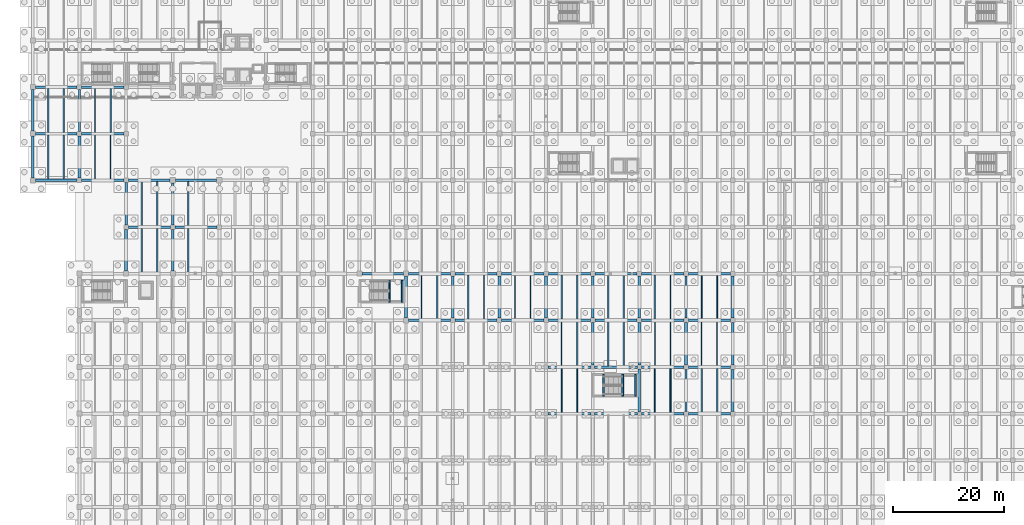
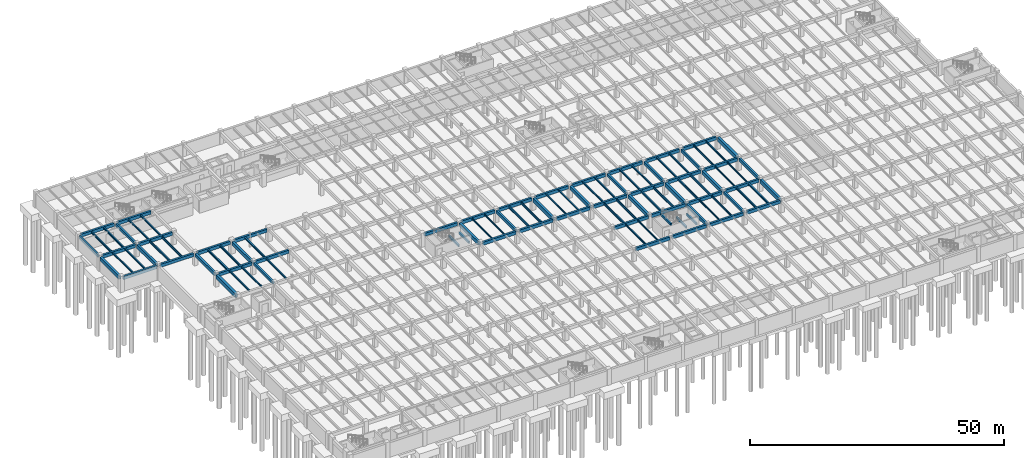
# One storey, part 27 of 70: 103 beams.
"""IFC4 building model written with IfcOpenShell, lengths in metres."""

import ifcopenshell
import ifcopenshell.guid

model = None  # the IFC model being written
_history = None  # IfcOwnerHistory: only IFC2X3 demands one
_inside = {}  # id of a spatial element -> (the spatial element, [elements in it])
_under = {}  # id of a project, library or spatial element -> (it, [spatial elements below it])
_declared = {}  # id of a project -> (the project, [libraries it declares])
_typed = {}  # id of a type object -> (the type object, [elements of that type])
_made_of = {}  # id of a material, layer set ... -> (it, [elements and type objects made of it])


def new_model(schema):
    """Start an empty IFC model of exactly this schema.

    Asked for "IFC4X3", IfcOpenShell would pick the latest addendum, in which some entities
    have other attributes; the version numbers below select the first issue.
    IFC2X3 requires an IfcOwnerHistory on every rooted entity: one is made here for all.
    """
    global model, _history
    if schema == "IFC4X3":
        model = ifcopenshell.file(schema_version=(4, 3, 0, 0))
    else:
        model = ifcopenshell.file(schema=schema)
    _inside.clear()
    _under.clear()
    _declared.clear()
    _typed.clear()
    _made_of.clear()
    _history = None
    if model.schema == "IFC2X3":
        org = make("IfcOrganization", Name="unknown")
        user = make(
            "IfcPersonAndOrganization",
            ThePerson=make("IfcPerson", FamilyName="unknown"),
            TheOrganization=org,
        )
        app = make(
            "IfcApplication",
            ApplicationDeveloper=org,
            Version="unknown",
            ApplicationFullName="unknown",
            ApplicationIdentifier="unknown",
        )
        _history = make(
            "IfcOwnerHistory",
            OwningUser=user,
            OwningApplication=app,
            ChangeAction="ADDED",
            CreationDate=0,
        )
    return model


def make(cls, **values):
    """One entity of the class cls with the attributes given. An attribute that is None is left unset."""
    return model.create_entity(
        cls, **{name: value for name, value in values.items() if value is not None}
    )


def rooted(cls, **values):
    """An entity with a GlobalId (a new one), such as an element, a storey or a relation."""
    return make(cls, GlobalId=ifcopenshell.guid.new(), OwnerHistory=_history, **values)


def si_unit(unit_type, name, prefix=None):
    """IfcSIUnit, for example si_unit("LENGTHUNIT", "METRE", prefix="MILLI")."""
    return make("IfcSIUnit", UnitType=unit_type, Prefix=prefix, Name=name)


def assignment(units):
    """IfcUnitAssignment: the units of a project."""
    return None if units is None else make("IfcUnitAssignment", Units=units)


def point(xyz):
    """IfcCartesianPoint."""
    return None if xyz is None else make("IfcCartesianPoint", Coordinates=xyz)


def direction(xyz):
    """IfcDirection."""
    return None if xyz is None else make("IfcDirection", DirectionRatios=xyz)


def frame(location, z_axis=None, x_axis=None):
    """IfcAxis2Placement3D, a coordinate frame: its origin and axes. An axis left out is left unset."""
    return make(
        "IfcAxis2Placement3D",
        Location=point(location),
        Axis=direction(z_axis),
        RefDirection=direction(x_axis),
    )


def frame_2d(location, x_axis=None):
    """IfcAxis2Placement2D, a coordinate frame in the plane: its origin and x axis."""
    return make(
        "IfcAxis2Placement2D", Location=point(location), RefDirection=direction(x_axis)
    )


def origin():
    """The frame at (0, 0, 0) with its axes left unset."""
    return frame((0.0, 0.0, 0.0))


def origin_2d():
    """The frame at (0, 0) in the plane with its x axis left unset."""
    return frame_2d((0.0, 0.0))


def place(relative_to, where):
    """IfcLocalPlacement: puts the frame where relative to a parent placement (None: the world)."""
    return make(
        "IfcLocalPlacement", PlacementRelTo=relative_to, RelativePlacement=where
    )


def context(
    kind, dimensions, precision=None, world=None, true_north=None, identifier=None
):
    """IfcGeometricRepresentationContext, for example the 3D "Model" context."""
    return make(
        "IfcGeometricRepresentationContext",
        ContextIdentifier=identifier,
        ContextType=kind,
        CoordinateSpaceDimension=dimensions,
        Precision=precision,
        WorldCoordinateSystem=world,
        TrueNorth=true_north,
    )


def subcontext(parent, identifier, kind, view, scale=None):
    """IfcGeometricRepresentationSubContext, for example "Body" below "Model"."""
    return make(
        "IfcGeometricRepresentationSubContext",
        ContextIdentifier=identifier,
        ContextType=kind,
        ParentContext=parent,
        TargetScale=scale,
        TargetView=view,
    )


def project(units=None, contexts=None):
    """IfcProject with its units and contexts."""
    return rooted(
        "IfcProject",
        Name="project",
        RepresentationContexts=contexts,
        UnitsInContext=assignment(units),
    )


def spatial(cls, under=None, at=None, **own):
    """A site, building, storey or space (cls), placed at a placement, below another one or the project."""
    s = rooted(cls, ObjectPlacement=at, **own)
    if under is not None:
        _under.setdefault(under.id(), (under, []))[1].append(s)
    return s


def profile(cls, at=None, kind="AREA", **sizes):
    """A parametric profile (cls). Its sizes go by their IFC names, for example OverallWidth=200.0."""
    return make(cls, ProfileType=kind, Position=at, **sizes)


def rectangle(**sizes):
    """IfcRectangleProfileDef."""
    return profile("IfcRectangleProfileDef", **sizes)


def i_section(**sizes):
    """IfcIShapeProfileDef."""
    return profile("IfcIShapeProfileDef", **sizes)


def extrude(swept, where, along, depth):
    """IfcExtrudedAreaSolid: the profile swept, set in the frame where, extruded along a direction by depth."""
    return make(
        "IfcExtrudedAreaSolid",
        SweptArea=swept,
        Position=where,
        ExtrudedDirection=direction(along),
        Depth=depth,
    )


def shape(context_of_items, identifier, shape_type, items):
    """IfcShapeRepresentation: the items that make up one representation, for example the "Body"."""
    return make(
        "IfcShapeRepresentation",
        ContextOfItems=context_of_items,
        RepresentationIdentifier=identifier,
        RepresentationType=shape_type,
        Items=items,
    )


def material(Name=None, Category=None):
    """IfcMaterial."""
    return make("IfcMaterial", Name=Name, Category=Category)


def material_profile(
    of_material, cross_section, Name=None, Category=None, Priority=None
):
    """IfcMaterialProfile: a cross section and its material."""
    return make(
        "IfcMaterialProfile",
        Name=Name,
        Material=of_material,
        Profile=cross_section,
        Priority=Priority,
        Category=Category,
    )


def profile_set(profiles, Name=None, composite=None):
    """IfcMaterialProfileSet."""
    return make(
        "IfcMaterialProfileSet",
        Name=Name,
        MaterialProfiles=profiles,
        CompositeProfile=composite,
    )


def made_of(thing, what):
    """Note that an element or type object is made of a material, layer set ...; save() writes the relation."""
    if what is not None:
        _made_of.setdefault(what.id(), (what, []))[1].append(thing)
    return thing


def type_object(cls, material=None, **own):
    """A type object (cls), such as IfcWallType, which elements share."""
    return made_of(rooted(cls, **own), material)


def element(
    cls,
    number,
    at=None,
    inside=None,
    cuts=None,
    type_object=None,
    material=None,
    context=None,
    identifier="Body",
    shape_type=None,
    held_by="IfcProductDefinitionShape",
    body=None,
    shapes=None,
    **own,
):
    """One element of the class cls, such as IfcWall. Its Tag is "e" and its number.

    at: its placement. inside: the storey or other place that contains it. cuts: it is an
    opening in that element (IfcRelVoidsElement). A single representation is given by context,
    identifier, shape_type and body (its items); several are given by shapes. held_by: the class
    of the entity that holds the representations. save() writes the other relations.
    """
    e = rooted(cls, Tag="e%d" % number, ObjectPlacement=at, **own)
    if body is not None:
        shapes = [shape(context, identifier, shape_type, body)]
    if shapes is not None:
        e.Representation = make(held_by, Representations=shapes)
    if inside is not None:
        _inside.setdefault(inside.id(), (inside, []))[1].append(e)
    if cuts is not None:
        rooted(
            "IfcRelVoidsElement", RelatingBuildingElement=cuts, RelatedOpeningElement=e
        )
    if type_object is not None:
        _typed.setdefault(type_object.id(), (type_object, []))[1].append(e)
    return made_of(e, material)


def aggregate(whole, parts):
    """IfcRelAggregates: a whole, such as a stair, and the parts it consists of."""
    return rooted("IfcRelAggregates", RelatingObject=whole, RelatedObjects=parts)


def save(model, path):
    """Write the relations noted so far, then the file.

    IfcRelAggregates (storeys below a building ...), IfcRelContainedInSpatialStructure (elements
    in a storey), IfcRelDefinesByType, IfcRelAssociatesMaterial and IfcRelDeclares: one each for
    every whole, place, type object, material and project.
    """
    for whole, parts in _under.values():
        aggregate(whole, parts)
    for where, things in _inside.values():
        rooted(
            "IfcRelContainedInSpatialStructure",
            RelatedElements=things,
            RelatingStructure=where,
        )
    for kind, things in _typed.values():
        rooted("IfcRelDefinesByType", RelatedObjects=things, RelatingType=kind)
    for what, things in _made_of.values():
        rooted("IfcRelAssociatesMaterial", RelatedObjects=things, RelatingMaterial=what)
    for by, libraries in _declared.values():
        rooted("IfcRelDeclares", RelatingContext=by, RelatedDefinitions=libraries)
    model.write(path)


model = new_model("IFC4")

# Units and contexts
model_context = context("Model", 3, precision=1e-05, world=origin(), true_north=direction((0.0, 1.0)))
body_context = subcontext(model_context, "Body", "Model", "MODEL_VIEW")
ifc_project = project(units=[si_unit("LENGTHUNIT", "METRE"), si_unit("AREAUNIT", "SQUARE_METRE"), si_unit("VOLUMEUNIT", "CUBIC_METRE"), si_unit("PLANEANGLEUNIT", "RADIAN"), si_unit("MASSUNIT", "GRAM", prefix="KILO")], contexts=[model_context])

# Site, building, storey
site_placement = place(None, origin())
site = spatial("IfcSite", under=ifc_project, at=site_placement, CompositionType="ELEMENT")
building_placement = place(site_placement, origin())
building = spatial("IfcBuilding", under=site, at=building_placement, Name="Cumbredor Promenade Congress Hotel", CompositionType="ELEMENT")
storey_placement = place(building_placement, frame((0.0, 0.0, -7.56005859375)))
storey = spatial("IfcBuildingStorey", under=building, at=storey_placement, Name="B02", CompositionType="ELEMENT", Elevation=-7.56005859375)

# Beams
ifc_material_1 = material(Name="Concrete C40/50", Category="concrete")
ifc_material_profile_1 = material_profile(ifc_material_1, rectangle(XDim=0.39990234375, YDim=0.64990234375, at=origin_2d()), Name="RC BEAM 400x650")
ifc_profile_set_1 = profile_set([ifc_material_profile_1], Name="Concrete C40/50")
beam_type_1 = type_object("IfcBeamType", Name="BM-RC-400x650", PredefinedType="BEAM", material=ifc_profile_set_1)
beam_1_placement = place(storey_placement, frame((0.0, 92.85009765625, 2.635009765625), z_axis=(0.0, 1.0, 0.0), x_axis=(-1.0, 0.0, 0.0)))
element("IfcBeam", 1, at=beam_1_placement, inside=storey, type_object=beam_type_1, Name="B01 Y-Grid Beam 004", PredefinedType="BEAM", context=body_context, shape_type="SweptSolid", body=[
    extrude(rectangle(XDim=0.39990234375, YDim=0.64990234375, at=origin_2d()), origin(), (0.0, 0.0, 1.0), 7.5),
])
beam_2_placement = place(storey_placement, frame((8.39990234375, 92.800048828125, 2.635009765625), z_axis=(0.0, 1.0, 0.0), x_axis=(-1.0, 0.0, 0.0)))
element("IfcBeam", 2, at=beam_2_placement, inside=storey, type_object=beam_type_1, Name="B01 Y-Grid Beam 028", PredefinedType="BEAM", context=body_context, shape_type="SweptSolid", body=[
    extrude(rectangle(XDim=0.39990234375, YDim=0.64990234375, at=origin_2d()), origin(), (0.0, 0.0, 1.0), 7.599853515625),
])
beam_3_placement = place(storey_placement, frame((25.199951171875, 67.64990234375, 2.635009765625), z_axis=(0.0, 1.0, 0.0), x_axis=(-1.0, 0.0, 0.0)))
element("IfcBeam", 3, at=beam_3_placement, inside=storey, type_object=beam_type_1, Name="B01 Y-Grid Beam 072", PredefinedType="BEAM", context=body_context, shape_type="SweptSolid", body=[
    extrude(rectangle(XDim=0.39990234375, YDim=0.64990234375, at=origin_2d()), origin(), (0.0, 0.0, 1.0), 7.550048828125),
])
for number, where, z_axis, x_axis, name in (
    (4, (100.800048828125, 59.199951171875, 2.635009765625), (0.0, 1.0, 0.0), (-1.0, 0.0, 0.0), "B01 Y-Grid Beam 296"),
    (5, (117.60009765625, 42.39990234375, 2.635009765625), (0.0, 1.0, 0.0), (-1.0, 0.0, 0.0), "B01 Y-Grid Beam 344"),
    (6, (117.60009765625, 59.199951171875, 2.635009765625), (0.0, 1.0, 0.0), (-1.0, 0.0, 0.0), "B01 Y-Grid Beam 348"),
):
    element("IfcBeam", number, at=place(storey_placement, frame(where, z_axis=z_axis, x_axis=x_axis)), inside=storey, type_object=beam_type_1, Name=name, PredefinedType="BEAM", context=body_context, shape_type="SweptSolid", body=[
        extrude(rectangle(XDim=0.39990234375, YDim=0.64990234375, at=origin_2d()), origin(), (0.0, 0.0, 1.0), 7.60009765625),
    ])
ifc_material_profile_2 = material_profile(ifc_material_1, rectangle(XDim=0.449951171875, YDim=0.75, at=origin_2d()), Name="RC BEAM 450x750")
ifc_profile_set_2 = profile_set([ifc_material_profile_2], Name="Concrete C40/50")
beam_type_2 = type_object("IfcBeamType", Name="BM-RC-450x750", PredefinedType="BEAM", material=ifc_profile_set_2)
for number, where, z_axis, x_axis, name in (
    (7, (0.449951171875, 84.0, 2.5849609375), (1.0, 0.0, 0.0), (0.0, 1.0, 0.0), "B01 X-Grid Beam 001"),
    (8, (0.449951171875, 92.39990234375, 2.5849609375), (1.0, 0.0, 0.0), (0.0, 1.0, 0.0), "B01 X-Grid Beam 003"),
    (9, (0.449951171875, 100.800048828125, 2.5849609375), (1.0, 0.0, 0.0), (0.0, 1.0, 0.0), "B01 X-Grid Beam 005"),
):
    element("IfcBeam", number, at=place(storey_placement, frame(where, z_axis=z_axis, x_axis=x_axis)), inside=storey, type_object=beam_type_2, Name=name, PredefinedType="BEAM", context=body_context, shape_type="SweptSolid", body=[
        extrude(rectangle(XDim=0.449951171875, YDim=0.75, at=origin_2d()), origin(), (0.0, 0.0, 1.0), 7.550048828125),
    ])
for number, where, z_axis, x_axis, name in (
    (10, (8.800048828125, 84.0, 2.5849609375), (1.0, 0.0, 0.0), (0.0, 1.0, 0.0), "B01 X-Grid Beam 025"),
    (11, (8.800048828125, 92.39990234375, 2.5849609375), (1.0, 0.0, 0.0), (0.0, 1.0, 0.0), "B01 X-Grid Beam 027"),
    (12, (8.800048828125, 100.800048828125, 2.5849609375), (1.0, 0.0, 0.0), (0.0, 1.0, 0.0), "B01 X-Grid Beam 029"),
):
    element("IfcBeam", number, at=place(storey_placement, frame(where, z_axis=z_axis, x_axis=x_axis)), inside=storey, type_object=beam_type_2, Name=name, PredefinedType="BEAM", context=body_context, shape_type="SweptSolid", body=[
        extrude(rectangle(XDim=0.449951171875, YDim=0.75, at=origin_2d()), origin(), (0.0, 0.0, 1.0), 7.599853515625),
    ])
for number, where, z_axis, x_axis, name in (
    (13, (17.199951171875, 75.60009765625, 2.5849609375), (1.0, 0.0, 0.0), (0.0, 1.0, 0.0), "B01 X-Grid Beam 048"),
    (14, (16.800048828125, 76.0, 2.5849609375), (0.0, 1.0, 0.0), (-1.0, 0.0, 0.0), "B01 Y-Grid Beam 049"),
):
    element("IfcBeam", number, at=place(storey_placement, frame(where, z_axis=z_axis, x_axis=x_axis)), inside=storey, type_object=beam_type_2, Name=name, PredefinedType="BEAM", context=body_context, shape_type="SweptSolid", body=[
        extrude(rectangle(XDim=0.449951171875, YDim=0.75, at=origin_2d()), origin(), (0.0, 0.0, 1.0), 7.60009765625),
    ])
beam_4_placement = place(storey_placement, frame((17.199951171875, 84.0, 2.5849609375), z_axis=(1.0, 0.0, 0.0), x_axis=(0.0, 1.0, 0.0)))
element("IfcBeam", 15, at=beam_4_placement, inside=storey, type_object=beam_type_2, Name="B01 X-Grid Beam 050", PredefinedType="BEAM", context=body_context, shape_type="SweptSolid", body=[
    extrude(rectangle(XDim=0.449951171875, YDim=0.75, at=origin_2d()), origin(), (0.0, 0.0, 1.0), 7.5),
])
beam_5_placement = place(storey_placement, frame((25.60009765625, 75.60009765625, 2.5849609375), z_axis=(1.0, 0.0, 0.0), x_axis=(0.0, 1.0, 0.0)))
element("IfcBeam", 16, at=beam_5_placement, inside=storey, type_object=beam_type_2, Name="B01 X-Grid Beam 073", PredefinedType="BEAM", context=body_context, shape_type="SweptSolid", body=[
    extrude(rectangle(XDim=0.449951171875, YDim=0.75, at=origin_2d()), origin(), (0.0, 0.0, 1.0), 7.599853515625),
])
beam_6_placement = place(storey_placement, frame((25.699951171875, 84.0, 2.5849609375), z_axis=(1.0, 0.0, 0.0), x_axis=(0.0, 1.0, 0.0)))
element("IfcBeam", 17, at=beam_6_placement, inside=storey, type_object=beam_type_2, Name="B01 X-Grid Beam 075", PredefinedType="BEAM", context=body_context, shape_type="SweptSolid", body=[
    extrude(rectangle(XDim=0.449951171875, YDim=0.75, at=origin_2d()), origin(), (0.0, 0.0, 1.0), 7.400146484375),
])
beam_7_placement = place(storey_placement, frame((59.25, 67.199951171875, 2.5849609375), z_axis=(1.0, 0.0, 0.0), x_axis=(0.0, 1.0, 0.0)))
element("IfcBeam", 18, at=beam_7_placement, inside=storey, type_object=beam_type_2, Name="B01 X-Grid Beam 164", PredefinedType="BEAM", context=body_context, shape_type="SweptSolid", body=[
    extrude(rectangle(XDim=0.449951171875, YDim=0.75, at=origin_2d()), origin(), (0.0, 0.0, 1.0), 7.5),
])
for number, where, z_axis, x_axis, name in (
    (19, (67.64990234375, 58.800048828125, 2.5849609375), (1.0, 0.0, 0.0), (0.0, 1.0, 0.0), "B01 X-Grid Beam 189"),
    (20, (67.64990234375, 67.199951171875, 2.5849609375), (1.0, 0.0, 0.0), (0.0, 1.0, 0.0), "B01 X-Grid Beam 191"),
):
    element("IfcBeam", number, at=place(storey_placement, frame(where, z_axis=z_axis, x_axis=x_axis)), inside=storey, type_object=beam_type_2, Name=name, PredefinedType="BEAM", context=body_context, shape_type="SweptSolid", body=[
        extrude(rectangle(XDim=0.449951171875, YDim=0.75, at=origin_2d()), origin(), (0.0, 0.0, 1.0), 7.550048828125),
    ])
for number, where, z_axis, x_axis, name in (
    (21, (76.0, 58.800048828125, 2.5849609375), (1.0, 0.0, 0.0), (0.0, 1.0, 0.0), "B01 X-Grid Beam 216"),
    (22, (75.60009765625, 59.199951171875, 2.5849609375), (0.0, 1.0, 0.0), (-1.0, 0.0, 0.0), "B01 Y-Grid Beam 217"),
    (23, (76.0, 67.199951171875, 2.5849609375), (1.0, 0.0, 0.0), (0.0, 1.0, 0.0), "B01 X-Grid Beam 218"),
    (24, (84.39990234375, 58.800048828125, 2.5849609375), (1.0, 0.0, 0.0), (0.0, 1.0, 0.0), "B01 X-Grid Beam 242"),
    (25, (84.39990234375, 67.199951171875, 2.5849609375), (1.0, 0.0, 0.0), (0.0, 1.0, 0.0), "B01 X-Grid Beam 244"),
):
    element("IfcBeam", number, at=place(storey_placement, frame(where, z_axis=z_axis, x_axis=x_axis)), inside=storey, type_object=beam_type_2, Name=name, PredefinedType="BEAM", context=body_context, shape_type="SweptSolid", body=[
        extrude(rectangle(XDim=0.449951171875, YDim=0.75, at=origin_2d()), origin(), (0.0, 0.0, 1.0), 7.60009765625),
    ])
for number, where, z_axis, x_axis, name in (
    (26, (92.75, 42.0, 2.5849609375), (1.0, 0.0, 0.0), (0.0, 1.0, 0.0), "B01 X-Grid Beam 265"),
    (27, (92.75, 50.39990234375, 2.5849609375), (1.0, 0.0, 0.0), (0.0, 1.0, 0.0), "B01 X-Grid Beam 267"),
):
    element("IfcBeam", number, at=place(storey_placement, frame(where, z_axis=z_axis, x_axis=x_axis)), inside=storey, type_object=beam_type_2, Name=name, PredefinedType="BEAM", context=body_context, shape_type="SweptSolid", body=[
        extrude(rectangle(XDim=0.449951171875, YDim=0.75, at=origin_2d()), origin(), (0.0, 0.0, 1.0), 7.699951171875),
    ])
for number, where, z_axis, x_axis, name in (
    (28, (92.800048828125, 58.800048828125, 2.5849609375), (1.0, 0.0, 0.0), (0.0, 1.0, 0.0), "B01 X-Grid Beam 269"),
    (29, (92.800048828125, 67.199951171875, 2.5849609375), (1.0, 0.0, 0.0), (0.0, 1.0, 0.0), "B01 X-Grid Beam 271"),
):
    element("IfcBeam", number, at=place(storey_placement, frame(where, z_axis=z_axis, x_axis=x_axis)), inside=storey, type_object=beam_type_2, Name=name, PredefinedType="BEAM", context=body_context, shape_type="SweptSolid", body=[
        extrude(rectangle(XDim=0.449951171875, YDim=0.75, at=origin_2d()), origin(), (0.0, 0.0, 1.0), 7.599853515625),
    ])
for number, where, z_axis, x_axis, name in (
    (30, (101.14990234375, 42.0, 2.5849609375), (1.0, 0.0, 0.0), (0.0, 1.0, 0.0), "B01 X-Grid Beam 292"),
    (31, (101.14990234375, 50.39990234375, 2.5849609375), (1.0, 0.0, 0.0), (0.0, 1.0, 0.0), "B01 X-Grid Beam 293"),
):
    element("IfcBeam", number, at=place(storey_placement, frame(where, z_axis=z_axis, x_axis=x_axis)), inside=storey, type_object=beam_type_2, Name=name, PredefinedType="BEAM", context=body_context, shape_type="SweptSolid", body=[
        extrude(rectangle(XDim=0.449951171875, YDim=0.75, at=origin_2d()), origin(), (0.0, 0.0, 1.0), 7.7001953125),
    ])
for number, where, z_axis, x_axis, name in (
    (32, (101.199951171875, 58.800048828125, 2.5849609375), (1.0, 0.0, 0.0), (0.0, 1.0, 0.0), "B01 X-Grid Beam 295"),
    (33, (101.199951171875, 67.199951171875, 2.5849609375), (1.0, 0.0, 0.0), (0.0, 1.0, 0.0), "B01 X-Grid Beam 297"),
):
    element("IfcBeam", number, at=place(storey_placement, frame(where, z_axis=z_axis, x_axis=x_axis)), inside=storey, type_object=beam_type_2, Name=name, PredefinedType="BEAM", context=body_context, shape_type="SweptSolid", body=[
        extrude(rectangle(XDim=0.449951171875, YDim=0.75, at=origin_2d()), origin(), (0.0, 0.0, 1.0), 7.60009765625),
    ])
beam_8_placement = place(storey_placement, frame((109.550048828125, 42.0, 2.5849609375), z_axis=(1.0, 0.0, 0.0), x_axis=(0.0, 1.0, 0.0)))
element("IfcBeam", 34, at=beam_8_placement, inside=storey, type_object=beam_type_2, Name="B01 X-Grid Beam 316", PredefinedType="BEAM", context=body_context, shape_type="SweptSolid", body=[
    extrude(rectangle(XDim=0.449951171875, YDim=0.75, at=origin_2d()), origin(), (0.0, 0.0, 1.0), 7.64990234375),
])
beam_9_placement = place(storey_placement, frame((109.199951171875, 42.35009765625, 2.5849609375), z_axis=(0.0, 1.0, 0.0), x_axis=(-1.0, 0.0, 0.0)))
element("IfcBeam", 35, at=beam_9_placement, inside=storey, type_object=beam_type_2, Name="B01 Y-Grid Beam 317", PredefinedType="BEAM", context=body_context, shape_type="SweptSolid", body=[
    extrude(rectangle(XDim=0.449951171875, YDim=0.75, at=origin_2d()), origin(), (0.0, 0.0, 1.0), 7.699951171875),
])
beam_10_placement = place(storey_placement, frame((109.550048828125, 50.39990234375, 2.5849609375), z_axis=(1.0, 0.0, 0.0), x_axis=(0.0, 1.0, 0.0)))
element("IfcBeam", 36, at=beam_10_placement, inside=storey, type_object=beam_type_2, Name="B01 X-Grid Beam 318", PredefinedType="BEAM", context=body_context, shape_type="SweptSolid", body=[
    extrude(rectangle(XDim=0.449951171875, YDim=0.75, at=origin_2d()), origin(), (0.0, 0.0, 1.0), 7.64990234375),
])
beam_11_placement = place(storey_placement, frame((109.60009765625, 58.800048828125, 2.5849609375), z_axis=(1.0, 0.0, 0.0), x_axis=(0.0, 1.0, 0.0)))
element("IfcBeam", 37, at=beam_11_placement, inside=storey, type_object=beam_type_2, Name="B01 X-Grid Beam 320", PredefinedType="BEAM", context=body_context, shape_type="SweptSolid", body=[
    extrude(rectangle(XDim=0.449951171875, YDim=0.75, at=origin_2d()), origin(), (0.0, 0.0, 1.0), 7.599853515625),
])
beam_12_placement = place(storey_placement, frame((109.199951171875, 59.199951171875, 2.5849609375), z_axis=(0.0, 1.0, 0.0), x_axis=(-1.0, 0.0, 0.0)))
element("IfcBeam", 38, at=beam_12_placement, inside=storey, type_object=beam_type_2, Name="B01 Y-Grid Beam 321", PredefinedType="BEAM", context=body_context, shape_type="SweptSolid", body=[
    extrude(rectangle(XDim=0.449951171875, YDim=0.75, at=origin_2d()), origin(), (0.0, 0.0, 1.0), 7.60009765625),
])
beam_13_placement = place(storey_placement, frame((109.60009765625, 67.199951171875, 2.5849609375), z_axis=(1.0, 0.0, 0.0), x_axis=(0.0, 1.0, 0.0)))
element("IfcBeam", 39, at=beam_13_placement, inside=storey, type_object=beam_type_2, Name="B01 X-Grid Beam 322", PredefinedType="BEAM", context=body_context, shape_type="SweptSolid", body=[
    extrude(rectangle(XDim=0.449951171875, YDim=0.75, at=origin_2d()), origin(), (0.0, 0.0, 1.0), 7.599853515625),
])
for number, where, z_axis, x_axis, name in (
    (40, (118.0, 42.0, 2.5849609375), (1.0, 0.0, 0.0), (0.0, 1.0, 0.0), "B01 X-Grid Beam 343"),
    (41, (118.0, 50.39990234375, 2.5849609375), (1.0, 0.0, 0.0), (0.0, 1.0, 0.0), "B01 X-Grid Beam 345"),
    (42, (118.0, 58.800048828125, 2.5849609375), (1.0, 0.0, 0.0), (0.0, 1.0, 0.0), "B01 X-Grid Beam 347"),
    (43, (118.0, 67.199951171875, 2.5849609375), (1.0, 0.0, 0.0), (0.0, 1.0, 0.0), "B01 X-Grid Beam 349"),
):
    element("IfcBeam", number, at=place(storey_placement, frame(where, z_axis=z_axis, x_axis=x_axis)), inside=storey, type_object=beam_type_2, Name=name, PredefinedType="BEAM", context=body_context, shape_type="SweptSolid", body=[
        extrude(rectangle(XDim=0.449951171875, YDim=0.75, at=origin_2d()), origin(), (0.0, 0.0, 1.0), 7.60009765625),
    ])
beam_14_placement = place(storey_placement, frame((126.0, 50.800048828125, 2.5849609375), z_axis=(0.0, 1.0, 0.0), x_axis=(-1.0, 0.0, 0.0)))
element("IfcBeam", 44, at=beam_14_placement, inside=storey, type_object=beam_type_2, Name="B01 Y-Grid Beam 373", PredefinedType="BEAM", context=body_context, shape_type="SweptSolid", body=[
    extrude(rectangle(XDim=0.449951171875, YDim=0.75, at=origin_2d()), origin(), (0.0, 0.0, 1.0), 7.599853515625),
])
ifc_material_profile_3 = material_profile(ifc_material_1, rectangle(XDim=0.5, YDim=0.85009765625, at=origin_2d()), Name="RC BEAM 500x850")
ifc_profile_set_3 = profile_set([ifc_material_profile_3], Name="Concrete C40/50")
beam_type_3 = type_object("IfcBeamType", Name="BM-RC-500x850", PredefinedType="BEAM", material=ifc_profile_set_3)
beam_15_placement = place(storey_placement, frame((0.0, 84.449951171875, 2.53515625), z_axis=(0.0, 1.0, 0.0), x_axis=(-1.0, 0.0, 0.0)))
element("IfcBeam", 45, at=beam_15_placement, inside=storey, type_object=beam_type_3, Name="B01 Y-Grid Beam 002", PredefinedType="BEAM", context=body_context, shape_type="SweptSolid", body=[
    extrude(rectangle(XDim=0.5, YDim=0.85009765625, at=origin_2d()), origin(), (0.0, 0.0, 1.0), 7.5),
])
beam_16_placement = place(storey_placement, frame((8.39990234375, 84.39990234375, 2.53515625), z_axis=(0.0, 1.0, 0.0), x_axis=(-1.0, 0.0, 0.0)))
element("IfcBeam", 46, at=beam_16_placement, inside=storey, type_object=beam_type_3, Name="B01 Y-Grid Beam 026", PredefinedType="BEAM", context=body_context, shape_type="SweptSolid", body=[
    extrude(rectangle(XDim=0.5, YDim=0.85009765625, at=origin_2d()), origin(), (0.0, 0.0, 1.0), 7.60009765625),
])
for number, where, z_axis, x_axis, name in (
    (47, (25.199951171875, 76.0, 2.53515625), (0.0, 1.0, 0.0), (-1.0, 0.0, 0.0), "B01 Y-Grid Beam 074"),
    (48, (67.199951171875, 59.25, 2.53515625), (0.0, 1.0, 0.0), (-1.0, 0.0, 0.0), "B01 Y-Grid Beam 190"),
):
    element("IfcBeam", number, at=place(storey_placement, frame(where, z_axis=z_axis, x_axis=x_axis)), inside=storey, type_object=beam_type_3, Name=name, PredefinedType="BEAM", context=body_context, shape_type="SweptSolid", body=[
        extrude(rectangle(XDim=0.5, YDim=0.85009765625, at=origin_2d()), origin(), (0.0, 0.0, 1.0), 7.5),
    ])
beam_17_placement = place(storey_placement, frame((92.39990234375, 59.199951171875, 2.53515625), z_axis=(0.0, 1.0, 0.0), x_axis=(-1.0, 0.0, 0.0)))
element("IfcBeam", 49, at=beam_17_placement, inside=storey, type_object=beam_type_3, Name="B01 Y-Grid Beam 270", PredefinedType="BEAM", context=body_context, shape_type="SweptSolid", body=[
    extrude(rectangle(XDim=0.5, YDim=0.85009765625, at=origin_2d()), origin(), (0.0, 0.0, 1.0), 7.60009765625),
])
beam_18_placement = place(storey_placement, frame((100.800048828125, 50.75, 2.53515625), z_axis=(0.0, 1.0, 0.0), x_axis=(-1.0, 0.0, 0.0)))
element("IfcBeam", 50, at=beam_18_placement, inside=storey, type_object=beam_type_3, Name="B01 Y-Grid Beam 294", PredefinedType="BEAM", context=body_context, shape_type="SweptSolid", body=[
    extrude(rectangle(XDim=0.5, YDim=0.85009765625, at=origin_2d()), origin(), (0.0, 0.0, 1.0), 7.64990234375),
])
beam_19_placement = place(storey_placement, frame((117.60009765625, 50.800048828125, 2.53515625), z_axis=(0.0, 1.0, 0.0), x_axis=(-1.0, 0.0, 0.0)))
element("IfcBeam", 51, at=beam_19_placement, inside=storey, type_object=beam_type_3, Name="B01 Y-Grid Beam 346", PredefinedType="BEAM", context=body_context, shape_type="SweptSolid", body=[
    extrude(rectangle(XDim=0.5, YDim=0.85009765625, at=origin_2d()), origin(), (0.0, 0.0, 1.0), 7.599853515625),
])
ifc_material_profile_4 = material_profile(ifc_material_1, rectangle(XDim=0.550048828125, YDim=0.949951171875, at=origin_2d()), Name="RC BEAM 550x950")
ifc_profile_set_4 = profile_set([ifc_material_profile_4], Name="Concrete C40/50")
beam_type_4 = type_object("IfcBeamType", Name="BM-RC-550x950", PredefinedType="BEAM", material=ifc_profile_set_4)
beam_20_placement = place(storey_placement, frame((16.800048828125, 67.64990234375, 2.485107421875), z_axis=(0.0, 1.0, 0.0), x_axis=(-1.0, 0.0, 0.0)))
element("IfcBeam", 52, at=beam_20_placement, inside=storey, type_object=beam_type_4, Name="B01 Y-Grid Beam 047", PredefinedType="BEAM", context=body_context, shape_type="SweptSolid", body=[
    extrude(rectangle(XDim=0.550048828125, YDim=0.949951171875, at=origin_2d()), origin(), (0.0, 0.0, 1.0), 7.550048828125),
])
beam_21_placement = place(storey_placement, frame((84.0, 59.199951171875, 2.485107421875), z_axis=(0.0, 1.0, 0.0), x_axis=(-1.0, 0.0, 0.0)))
element("IfcBeam", 53, at=beam_21_placement, inside=storey, type_object=beam_type_4, Name="B01 Y-Grid Beam 243", PredefinedType="BEAM", context=body_context, shape_type="SweptSolid", body=[
    extrude(rectangle(XDim=0.550048828125, YDim=0.949951171875, at=origin_2d()), origin(), (0.0, 0.0, 1.0), 7.60009765625),
])
beam_22_placement = place(storey_placement, frame((109.199951171875, 50.75, 2.485107421875), z_axis=(0.0, 1.0, 0.0), x_axis=(-1.0, 0.0, 0.0)))
element("IfcBeam", 54, at=beam_22_placement, inside=storey, type_object=beam_type_4, Name="B01 Y-Grid Beam 319", PredefinedType="BEAM", context=body_context, shape_type="SweptSolid", body=[
    extrude(rectangle(XDim=0.550048828125, YDim=0.949951171875, at=origin_2d()), origin(), (0.0, 0.0, 1.0), 7.64990234375),
])
for number, where, z_axis, x_axis, name in (
    (55, (126.0, 42.39990234375, 2.485107421875), (0.0, 1.0, 0.0), (-1.0, 0.0, 0.0), "B01 Y-Grid Beam 371"),
    (56, (126.0, 59.199951171875, 2.485107421875), (0.0, 1.0, 0.0), (-1.0, 0.0, 0.0), "B01 Y-Grid Beam 375"),
):
    element("IfcBeam", number, at=place(storey_placement, frame(where, z_axis=z_axis, x_axis=x_axis)), inside=storey, type_object=beam_type_4, Name=name, PredefinedType="BEAM", context=body_context, shape_type="SweptSolid", body=[
        extrude(rectangle(XDim=0.550048828125, YDim=0.949951171875, at=origin_2d()), origin(), (0.0, 0.0, 1.0), 7.60009765625),
    ])
ifc_material_2 = material(Name="Steel ASTM A992 Grade 50", Category="steel")
ifc_material_profile_5 = material_profile(ifc_material_2, i_section(OverallWidth=0.202880859375, OverallDepth=0.302978515625, WebThickness=0.007568359375, FlangeThickness=0.01318359375, at=origin_2d()), Name="W12X40")
ifc_profile_set_5 = profile_set([ifc_material_profile_5], Name="Steel ASTM A992 Grade 50")
beam_type_5 = type_object("IfcBeamType", Name="JST-W12X40", PredefinedType="JOIST", material=ifc_profile_set_5)
for number, where, z_axis, x_axis, name in (
    (57, (70.0, 59.02490234375, 2.80859375), (0.0, 1.0, 0.0), (-1.0, 0.0, 0.0), "B01 Secondary Floor Joist 0160"),
    (58, (72.800048828125, 59.02490234375, 2.80859375), (0.0, 1.0, 0.0), (-1.0, 0.0, 0.0), "B01 Secondary Floor Joist 0161"),
    (59, (86.800048828125, 59.02490234375, 2.80859375), (0.0, 1.0, 0.0), (-1.0, 0.0, 0.0), "B01 Secondary Floor Joist 0210"),
    (60, (89.60009765625, 59.02490234375, 2.80859375), (0.0, 1.0, 0.0), (-1.0, 0.0, 0.0), "B01 Secondary Floor Joist 0211"),
):
    element("IfcBeam", number, at=place(storey_placement, frame(where, z_axis=z_axis, x_axis=x_axis)), inside=storey, type_object=beam_type_5, Name=name, PredefinedType="JOIST", context=body_context, shape_type="SweptSolid", body=[
        extrude(i_section(OverallWidth=0.202880859375, OverallDepth=0.302978515625, WebThickness=0.007568359375, FlangeThickness=0.01318359375, at=origin_2d()), origin(), (0.0, 0.0, 1.0), 7.9501953125),
    ])
for number, where, z_axis, x_axis, name in (
    (61, (120.39990234375, 50.625, 2.80859375), (0.0, 1.0, 0.0), (-1.0, 0.0, 0.0), "B01 Secondary Floor Joist 0305"),
    (62, (123.199951171875, 50.625, 2.80859375), (0.0, 1.0, 0.0), (-1.0, 0.0, 0.0), "B01 Secondary Floor Joist 0306"),
):
    element("IfcBeam", number, at=place(storey_placement, frame(where, z_axis=z_axis, x_axis=x_axis)), inside=storey, type_object=beam_type_5, Name=name, PredefinedType="JOIST", context=body_context, shape_type="SweptSolid", body=[
        extrude(i_section(OverallWidth=0.202880859375, OverallDepth=0.302978515625, WebThickness=0.007568359375, FlangeThickness=0.01318359375, at=origin_2d()), origin(), (0.0, 0.0, 1.0), 7.949951171875),
    ])
ifc_material_profile_6 = material_profile(ifc_material_2, i_section(OverallWidth=0.2548828125, OverallDepth=0.35693359375, WebThickness=0.010498046875, FlangeThickness=0.018310546875, at=origin_2d()), Name="W14X68")
ifc_profile_set_6 = profile_set([ifc_material_profile_6], Name="Steel ASTM A992 Grade 50")
beam_type_6 = type_object("IfcBeamType", Name="JST-W14X68", PredefinedType="JOIST", material=ifc_profile_set_6)
for number, where, z_axis, x_axis, name in (
    (63, (2.800048828125, 84.22509765625, 2.781494140625), (0.0, 1.0, 0.0), (-1.0, 0.0, 0.0), "B01 Secondary Floor Joist 0001"),
    (64, (5.60009765625, 84.22509765625, 2.781494140625), (0.0, 1.0, 0.0), (-1.0, 0.0, 0.0), "B01 Secondary Floor Joist 0002"),
    (65, (11.199951171875, 92.625, 2.781494140625), (0.0, 1.0, 0.0), (-1.0, 0.0, 0.0), "B01 Secondary Floor Joist 0021"),
    (66, (14.0, 92.625, 2.781494140625), (0.0, 1.0, 0.0), (-1.0, 0.0, 0.0), "B01 Secondary Floor Joist 0022"),
    (67, (19.60009765625, 67.425048828125, 2.781494140625), (0.0, 1.0, 0.0), (-1.0, 0.0, 0.0), "B01 Secondary Floor Joist 0036"),
    (68, (22.39990234375, 67.425048828125, 2.781494140625), (0.0, 1.0, 0.0), (-1.0, 0.0, 0.0), "B01 Secondary Floor Joist 0037"),
    (69, (28.0, 67.425048828125, 2.781494140625), (0.0, 1.0, 0.0), (-1.0, 0.0, 0.0), "B01 Secondary Floor Joist 0056"),
):
    element("IfcBeam", number, at=place(storey_placement, frame(where, z_axis=z_axis, x_axis=x_axis)), inside=storey, type_object=beam_type_6, Name=name, PredefinedType="JOIST", context=body_context, shape_type="SweptSolid", body=[
        extrude(i_section(OverallWidth=0.2548828125, OverallDepth=0.35693359375, WebThickness=0.010498046875, FlangeThickness=0.018310546875, at=origin_2d()), origin(), (0.0, 0.0, 1.0), 7.949951171875),
    ])
for number, where, z_axis, x_axis, name in (
    (70, (95.199951171875, 59.02490234375, 2.781494140625), (0.0, 1.0, 0.0), (-1.0, 0.0, 0.0), "B01 Secondary Floor Joist 0236"),
    (71, (98.0, 59.02490234375, 2.781494140625), (0.0, 1.0, 0.0), (-1.0, 0.0, 0.0), "B01 Secondary Floor Joist 0237"),
    (72, (103.60009765625, 59.02490234375, 2.781494140625), (0.0, 1.0, 0.0), (-1.0, 0.0, 0.0), "B01 Secondary Floor Joist 0256"),
    (73, (106.39990234375, 59.02490234375, 2.781494140625), (0.0, 1.0, 0.0), (-1.0, 0.0, 0.0), "B01 Secondary Floor Joist 0257"),
    (74, (112.0, 59.02490234375, 2.781494140625), (0.0, 1.0, 0.0), (-1.0, 0.0, 0.0), "B01 Secondary Floor Joist 0281"),
    (75, (114.800048828125, 59.02490234375, 2.781494140625), (0.0, 1.0, 0.0), (-1.0, 0.0, 0.0), "B01 Secondary Floor Joist 0282"),
):
    element("IfcBeam", number, at=place(storey_placement, frame(where, z_axis=z_axis, x_axis=x_axis)), inside=storey, type_object=beam_type_6, Name=name, PredefinedType="JOIST", context=body_context, shape_type="SweptSolid", body=[
        extrude(i_section(OverallWidth=0.2548828125, OverallDepth=0.35693359375, WebThickness=0.010498046875, FlangeThickness=0.018310546875, at=origin_2d()), origin(), (0.0, 0.0, 1.0), 7.9501953125),
    ])
ifc_material_profile_7 = material_profile(ifc_material_2, i_section(OverallWidth=0.180908203125, OverallDepth=0.4169921875, WebThickness=0.010986328125, FlangeThickness=0.018310546875, at=origin_2d()), Name="W16X57")
ifc_profile_set_7 = profile_set([ifc_material_profile_7], Name="Steel ASTM A992 Grade 50")
beam_type_7 = type_object("IfcBeamType", Name="JST-W16X57", PredefinedType="JOIST", material=ifc_profile_set_7)
for number, where, z_axis, x_axis, name in (
    (76, (95.199951171875, 42.22509765625, 2.75146484375), (0.0, 1.0, 0.0), (-1.0, 0.0, 0.0), "B01 Secondary Floor Joist 0232"),
    (77, (98.0, 42.22509765625, 2.75146484375), (0.0, 1.0, 0.0), (-1.0, 0.0, 0.0), "B01 Secondary Floor Joist 0233"),
    (78, (112.0, 42.22509765625, 2.75146484375), (0.0, 1.0, 0.0), (-1.0, 0.0, 0.0), "B01 Secondary Floor Joist 0277"),
    (79, (114.800048828125, 42.22509765625, 2.75146484375), (0.0, 1.0, 0.0), (-1.0, 0.0, 0.0), "B01 Secondary Floor Joist 0278"),
):
    element("IfcBeam", number, at=place(storey_placement, frame(where, z_axis=z_axis, x_axis=x_axis)), inside=storey, type_object=beam_type_7, Name=name, PredefinedType="JOIST", context=body_context, shape_type="SweptSolid", body=[
        extrude(i_section(OverallWidth=0.180908203125, OverallDepth=0.4169921875, WebThickness=0.010986328125, FlangeThickness=0.018310546875, at=origin_2d()), origin(), (0.0, 0.0, 1.0), 7.949951171875),
    ])
for number, where, z_axis, x_axis, name in (
    (80, (120.39990234375, 59.02490234375, 2.75146484375), (0.0, 1.0, 0.0), (-1.0, 0.0, 0.0), "B01 Secondary Floor Joist 0307"),
    (81, (123.199951171875, 59.02490234375, 2.75146484375), (0.0, 1.0, 0.0), (-1.0, 0.0, 0.0), "B01 Secondary Floor Joist 0308"),
):
    element("IfcBeam", number, at=place(storey_placement, frame(where, z_axis=z_axis, x_axis=x_axis)), inside=storey, type_object=beam_type_7, Name=name, PredefinedType="JOIST", context=body_context, shape_type="SweptSolid", body=[
        extrude(i_section(OverallWidth=0.180908203125, OverallDepth=0.4169921875, WebThickness=0.010986328125, FlangeThickness=0.018310546875, at=origin_2d()), origin(), (0.0, 0.0, 1.0), 7.9501953125),
    ])
ifc_material_profile_8 = material_profile(ifc_material_2, i_section(OverallWidth=0.280029296875, OverallDepth=0.462890625, WebThickness=0.0107421875, FlangeThickness=0.017333984375, at=origin_2d()), Name="W18X76")
ifc_profile_set_8 = profile_set([ifc_material_profile_8], Name="Steel ASTM A992 Grade 50")
beam_type_8 = type_object("IfcBeamType", Name="JST-W18X76", PredefinedType="JOIST", material=ifc_profile_set_8)
for number, where, z_axis, x_axis, name in (
    (82, (2.800048828125, 92.625, 2.728515625), (0.0, 1.0, 0.0), (-1.0, 0.0, 0.0), "B01 Secondary Floor Joist 0003"),
    (83, (5.60009765625, 92.625, 2.728515625), (0.0, 1.0, 0.0), (-1.0, 0.0, 0.0), "B01 Secondary Floor Joist 0004"),
    (84, (19.60009765625, 75.824951171875, 2.728515625), (0.0, 1.0, 0.0), (-1.0, 0.0, 0.0), "B01 Secondary Floor Joist 0038"),
    (85, (22.39990234375, 75.824951171875, 2.728515625), (0.0, 1.0, 0.0), (-1.0, 0.0, 0.0), "B01 Secondary Floor Joist 0039"),
    (86, (28.0, 75.824951171875, 2.728515625), (0.0, 1.0, 0.0), (-1.0, 0.0, 0.0), "B01 Secondary Floor Joist 0058"),
    (87, (120.39990234375, 42.22509765625, 2.728515625), (0.0, 1.0, 0.0), (-1.0, 0.0, 0.0), "B01 Secondary Floor Joist 0303"),
    (88, (123.199951171875, 42.22509765625, 2.728515625), (0.0, 1.0, 0.0), (-1.0, 0.0, 0.0), "B01 Secondary Floor Joist 0304"),
):
    element("IfcBeam", number, at=place(storey_placement, frame(where, z_axis=z_axis, x_axis=x_axis)), inside=storey, type_object=beam_type_8, Name=name, PredefinedType="JOIST", context=body_context, shape_type="SweptSolid", body=[
        extrude(i_section(OverallWidth=0.280029296875, OverallDepth=0.462890625, WebThickness=0.0107421875, FlangeThickness=0.017333984375, at=origin_2d()), origin(), (0.0, 0.0, 1.0), 7.949951171875),
    ])
ifc_material_profile_9 = material_profile(ifc_material_2, i_section(OverallWidth=0.214111328125, OverallDepth=0.549072265625, WebThickness=0.0146484375, FlangeThickness=0.023681640625, at=origin_2d()), Name="W21X93")
ifc_profile_set_9 = profile_set([ifc_material_profile_9], Name="Steel ASTM A992 Grade 50")
beam_type_9 = type_object("IfcBeamType", Name="JST-W21X93", PredefinedType="JOIST", material=ifc_profile_set_9)
for number, where, z_axis, x_axis, name in (
    (89, (11.199951171875, 84.22509765625, 2.685546875), (0.0, 1.0, 0.0), (-1.0, 0.0, 0.0), "B01 Secondary Floor Joist 0019"),
    (90, (14.0, 84.22509765625, 2.685546875), (0.0, 1.0, 0.0), (-1.0, 0.0, 0.0), "B01 Secondary Floor Joist 0020"),
):
    element("IfcBeam", number, at=place(storey_placement, frame(where, z_axis=z_axis, x_axis=x_axis)), inside=storey, type_object=beam_type_9, Name=name, PredefinedType="JOIST", context=body_context, shape_type="SweptSolid", body=[
        extrude(i_section(OverallWidth=0.214111328125, OverallDepth=0.549072265625, WebThickness=0.0146484375, FlangeThickness=0.023681640625, at=origin_2d()), origin(), (0.0, 0.0, 1.0), 7.949951171875),
    ])
for number, where, z_axis, x_axis, name in (
    (91, (78.39990234375, 59.02490234375, 2.685546875), (0.0, 1.0, 0.0), (-1.0, 0.0, 0.0), "B01 Secondary Floor Joist 0184"),
    (92, (81.199951171875, 59.02490234375, 2.685546875), (0.0, 1.0, 0.0), (-1.0, 0.0, 0.0), "B01 Secondary Floor Joist 0185"),
):
    element("IfcBeam", number, at=place(storey_placement, frame(where, z_axis=z_axis, x_axis=x_axis)), inside=storey, type_object=beam_type_9, Name=name, PredefinedType="JOIST", context=body_context, shape_type="SweptSolid", body=[
        extrude(i_section(OverallWidth=0.214111328125, OverallDepth=0.549072265625, WebThickness=0.0146484375, FlangeThickness=0.023681640625, at=origin_2d()), origin(), (0.0, 0.0, 1.0), 7.9501953125),
    ])
for number, where, z_axis, x_axis, name in (
    (93, (95.199951171875, 50.625, 2.685546875), (0.0, 1.0, 0.0), (-1.0, 0.0, 0.0), "B01 Secondary Floor Joist 0234"),
    (94, (98.0, 50.625, 2.685546875), (0.0, 1.0, 0.0), (-1.0, 0.0, 0.0), "B01 Secondary Floor Joist 0235"),
    (95, (103.60009765625, 50.625, 2.685546875), (0.0, 1.0, 0.0), (-1.0, 0.0, 0.0), "B01 Secondary Floor Joist 0254"),
    (96, (106.39990234375, 50.625, 2.685546875), (0.0, 1.0, 0.0), (-1.0, 0.0, 0.0), "B01 Secondary Floor Joist 0255"),
    (97, (112.0, 50.625, 2.685546875), (0.0, 1.0, 0.0), (-1.0, 0.0, 0.0), "B01 Secondary Floor Joist 0279"),
    (98, (114.800048828125, 50.625, 2.685546875), (0.0, 1.0, 0.0), (-1.0, 0.0, 0.0), "B01 Secondary Floor Joist 0280"),
):
    element("IfcBeam", number, at=place(storey_placement, frame(where, z_axis=z_axis, x_axis=x_axis)), inside=storey, type_object=beam_type_9, Name=name, PredefinedType="JOIST", context=body_context, shape_type="SweptSolid", body=[
        extrude(i_section(OverallWidth=0.214111328125, OverallDepth=0.549072265625, WebThickness=0.0146484375, FlangeThickness=0.023681640625, at=origin_2d()), origin(), (0.0, 0.0, 1.0), 7.949951171875),
    ])
ifc_material_profile_10 = material_profile(ifc_material_1, rectangle(XDim=0.300048828125, YDim=0.5, at=origin_2d()), Name="RC LINTEL 300x500")
ifc_profile_set_10 = profile_set([ifc_material_profile_10], Name="Concrete C40/50")
beam_type_10 = type_object("IfcBeamType", Name="LN-RC-300x500", PredefinedType="LINTEL", material=ifc_profile_set_10)
for number, where, z_axis, x_axis, name in (
    (99, (66.5, 62.050048828125, 1.22998046875), (0.0, 1.0, 0.0), (-1.0, 0.0, 0.0), "B02 Stair ST-07 Landing Ledger Beam E"),
    (100, (64.199951171875, 62.050048828125, 1.22998046875), (0.0, 1.0, 0.0), (-1.0, 0.0, 0.0), "B02 Stair ST-07 Landing Ledger Beam W"),
):
    element("IfcBeam", number, at=place(storey_placement, frame(where, z_axis=z_axis, x_axis=x_axis)), inside=storey, type_object=beam_type_10, Name=name, PredefinedType="LINTEL", context=body_context, shape_type="SweptSolid", body=[
        extrude(rectangle(XDim=0.300048828125, YDim=0.5, at=origin_2d()), origin(), (0.0, 0.0, 1.0), 3.949951171875),
    ])
for number, where, z_axis, x_axis, name in (
    (101, (108.5, 45.14990234375, 1.22998046875), (0.0, 1.0, 0.0), (-1.0, 0.0, 0.0), "B02 Stair ST-12 Landing Ledger Beam E"),
    (102, (106.199951171875, 45.14990234375, 1.22998046875), (0.0, 1.0, 0.0), (-1.0, 0.0, 0.0), "B02 Stair ST-12 Landing Ledger Beam W"),
    (103, (102.75, 45.14990234375, 3.110107421875), (0.0, 1.0, 0.0), (-1.0, 0.0, 0.0), "B01 Stair ST-12 Well Header Trimmer Beam"),
):
    element("IfcBeam", number, at=place(storey_placement, frame(where, z_axis=z_axis, x_axis=x_axis)), inside=storey, type_object=beam_type_10, Name=name, PredefinedType="LINTEL", context=body_context, shape_type="SweptSolid", body=[
        extrude(rectangle(XDim=0.300048828125, YDim=0.5, at=origin_2d()), origin(), (0.0, 0.0, 1.0), 3.9501953125),
    ])

save(model, "model.ifc")
